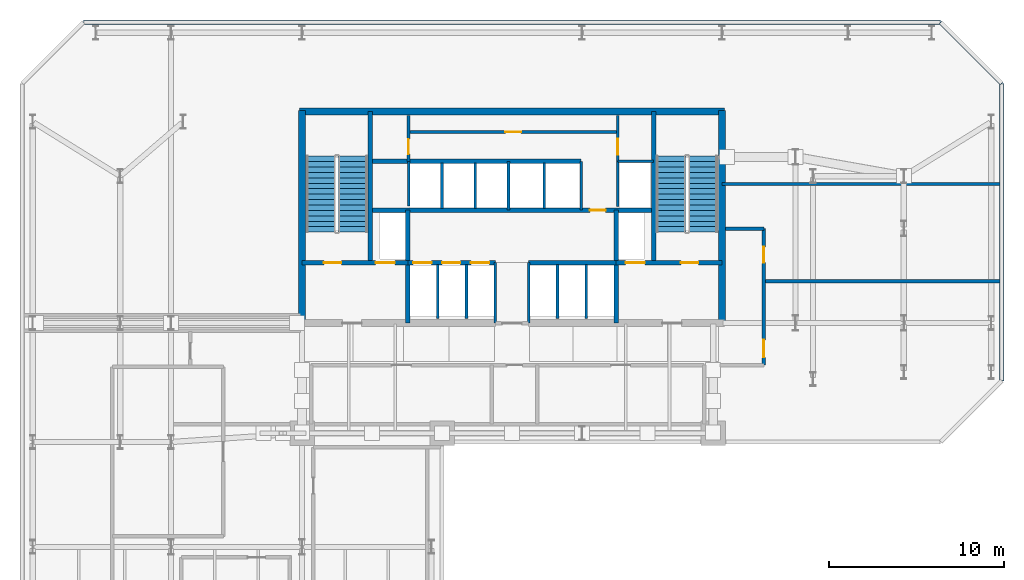
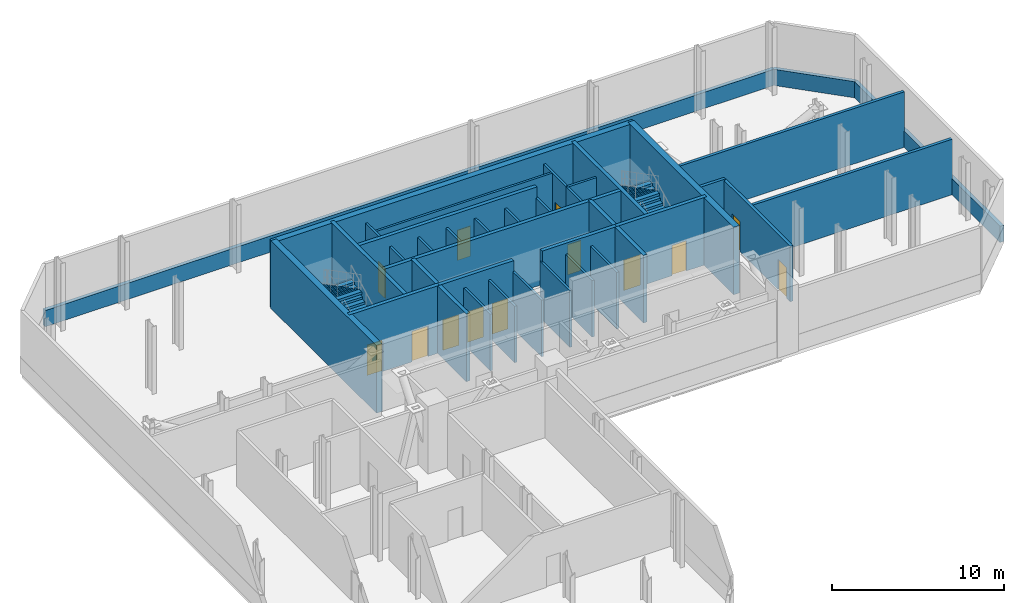
# One storey, part 5 of 8: 37 walls, 13 doors, 4 stair flights, 13 openings, 2 elements without a shape of their own.
"""IFC4 building model written with IfcOpenShell, lengths in metres."""

import ifcopenshell
import ifcopenshell.guid

model = None  # the IFC model being written
_history = None  # IfcOwnerHistory: only IFC2X3 demands one
_inside = {}  # id of a spatial element -> (the spatial element, [elements in it])
_under = {}  # id of a project, library or spatial element -> (it, [spatial elements below it])
_declared = {}  # id of a project -> (the project, [libraries it declares])
_typed = {}  # id of a type object -> (the type object, [elements of that type])
_made_of = {}  # id of a material, layer set ... -> (it, [elements and type objects made of it])


def new_model(schema):
    """Start an empty IFC model of exactly this schema.

    Asked for "IFC4X3", IfcOpenShell would pick the latest addendum, in which some entities
    have other attributes; the version numbers below select the first issue.
    IFC2X3 requires an IfcOwnerHistory on every rooted entity: one is made here for all.
    """
    global model, _history
    if schema == "IFC4X3":
        model = ifcopenshell.file(schema_version=(4, 3, 0, 0))
    else:
        model = ifcopenshell.file(schema=schema)
    _inside.clear()
    _under.clear()
    _declared.clear()
    _typed.clear()
    _made_of.clear()
    _history = None
    if model.schema == "IFC2X3":
        org = make("IfcOrganization", Name="unknown")
        user = make(
            "IfcPersonAndOrganization",
            ThePerson=make("IfcPerson", FamilyName="unknown"),
            TheOrganization=org,
        )
        app = make(
            "IfcApplication",
            ApplicationDeveloper=org,
            Version="unknown",
            ApplicationFullName="unknown",
            ApplicationIdentifier="unknown",
        )
        _history = make(
            "IfcOwnerHistory",
            OwningUser=user,
            OwningApplication=app,
            ChangeAction="ADDED",
            CreationDate=0,
        )
    return model


def make(cls, **values):
    """One entity of the class cls with the attributes given. An attribute that is None is left unset."""
    return model.create_entity(
        cls, **{name: value for name, value in values.items() if value is not None}
    )


def rooted(cls, **values):
    """An entity with a GlobalId (a new one), such as an element, a storey or a relation."""
    return make(cls, GlobalId=ifcopenshell.guid.new(), OwnerHistory=_history, **values)


def si_unit(unit_type, name, prefix=None):
    """IfcSIUnit, for example si_unit("LENGTHUNIT", "METRE", prefix="MILLI")."""
    return make("IfcSIUnit", UnitType=unit_type, Prefix=prefix, Name=name)


def assignment(units):
    """IfcUnitAssignment: the units of a project."""
    return None if units is None else make("IfcUnitAssignment", Units=units)


def point(xyz):
    """IfcCartesianPoint."""
    return None if xyz is None else make("IfcCartesianPoint", Coordinates=xyz)


def direction(xyz):
    """IfcDirection."""
    return None if xyz is None else make("IfcDirection", DirectionRatios=xyz)


def frame(location, z_axis=None, x_axis=None):
    """IfcAxis2Placement3D, a coordinate frame: its origin and axes. An axis left out is left unset."""
    return make(
        "IfcAxis2Placement3D",
        Location=point(location),
        Axis=direction(z_axis),
        RefDirection=direction(x_axis),
    )


def frame_2d(location, x_axis=None):
    """IfcAxis2Placement2D, a coordinate frame in the plane: its origin and x axis."""
    return make(
        "IfcAxis2Placement2D", Location=point(location), RefDirection=direction(x_axis)
    )


def origin():
    """The frame at (0, 0, 0) with its axes left unset."""
    return frame((0.0, 0.0, 0.0))


def place(relative_to, where):
    """IfcLocalPlacement: puts the frame where relative to a parent placement (None: the world)."""
    return make(
        "IfcLocalPlacement", PlacementRelTo=relative_to, RelativePlacement=where
    )


def context(
    kind, dimensions, precision=None, world=None, true_north=None, identifier=None
):
    """IfcGeometricRepresentationContext, for example the 3D "Model" context."""
    return make(
        "IfcGeometricRepresentationContext",
        ContextIdentifier=identifier,
        ContextType=kind,
        CoordinateSpaceDimension=dimensions,
        Precision=precision,
        WorldCoordinateSystem=world,
        TrueNorth=true_north,
    )


def subcontext(parent, identifier, kind, view, scale=None):
    """IfcGeometricRepresentationSubContext, for example "Body" below "Model"."""
    return make(
        "IfcGeometricRepresentationSubContext",
        ContextIdentifier=identifier,
        ContextType=kind,
        ParentContext=parent,
        TargetScale=scale,
        TargetView=view,
    )


def project(units=None, contexts=None):
    """IfcProject with its units and contexts."""
    return rooted(
        "IfcProject",
        Name="project",
        RepresentationContexts=contexts,
        UnitsInContext=assignment(units),
    )


def spatial(cls, under=None, at=None, **own):
    """A site, building, storey or space (cls), placed at a placement, below another one or the project."""
    s = rooted(cls, ObjectPlacement=at, **own)
    if under is not None:
        _under.setdefault(under.id(), (under, []))[1].append(s)
    return s


def polyline(points):
    """IfcPolyline through the points."""
    return make("IfcPolyline", Points=[point(p) for p in points])


def profile(cls, at=None, kind="AREA", **sizes):
    """A parametric profile (cls). Its sizes go by their IFC names, for example OverallWidth=200.0."""
    return make(cls, ProfileType=kind, Position=at, **sizes)


def rectangle(**sizes):
    """IfcRectangleProfileDef."""
    return profile("IfcRectangleProfileDef", **sizes)


def outline(outer, holes=None, kind="AREA"):
    """IfcArbitraryClosedProfileDef: a profile drawn as a closed curve; with holes, ...WithVoids."""
    if holes is None:
        return make("IfcArbitraryClosedProfileDef", ProfileType=kind, OuterCurve=outer)
    return make(
        "IfcArbitraryProfileDefWithVoids",
        ProfileType=kind,
        OuterCurve=outer,
        InnerCurves=holes,
    )


def extrude(swept, where, along, depth):
    """IfcExtrudedAreaSolid: the profile swept, set in the frame where, extruded along a direction by depth."""
    return make(
        "IfcExtrudedAreaSolid",
        SweptArea=swept,
        Position=where,
        ExtrudedDirection=direction(along),
        Depth=depth,
    )


def shape(context_of_items, identifier, shape_type, items):
    """IfcShapeRepresentation: the items that make up one representation, for example the "Body"."""
    return make(
        "IfcShapeRepresentation",
        ContextOfItems=context_of_items,
        RepresentationIdentifier=identifier,
        RepresentationType=shape_type,
        Items=items,
    )


def material(Name=None, Category=None):
    """IfcMaterial."""
    return make("IfcMaterial", Name=Name, Category=Category)


def layer(
    of_material, thickness, ventilated=None, Name=None, Category=None, Priority=None
):
    """IfcMaterialLayer: one layer of a wall or slab, of a material (None: an air gap)."""
    return make(
        "IfcMaterialLayer",
        Material=of_material,
        LayerThickness=thickness,
        IsVentilated=ventilated,
        Name=Name,
        Category=Category,
        Priority=Priority,
    )


def layer_set(layers, Name=None):
    """IfcMaterialLayerSet."""
    return make("IfcMaterialLayerSet", MaterialLayers=layers, LayerSetName=Name)


def made_of(thing, what):
    """Note that an element or type object is made of a material, layer set ...; save() writes the relation."""
    if what is not None:
        _made_of.setdefault(what.id(), (what, []))[1].append(thing)
    return thing


def type_object(cls, material=None, **own):
    """A type object (cls), such as IfcWallType, which elements share."""
    return made_of(rooted(cls, **own), material)


def element(
    cls,
    number,
    at=None,
    inside=None,
    cuts=None,
    type_object=None,
    material=None,
    context=None,
    identifier="Body",
    shape_type=None,
    held_by="IfcProductDefinitionShape",
    body=None,
    shapes=None,
    **own,
):
    """One element of the class cls, such as IfcWall. Its Tag is "e" and its number.

    at: its placement. inside: the storey or other place that contains it. cuts: it is an
    opening in that element (IfcRelVoidsElement). A single representation is given by context,
    identifier, shape_type and body (its items); several are given by shapes. held_by: the class
    of the entity that holds the representations. save() writes the other relations.
    """
    e = rooted(cls, Tag="e%d" % number, ObjectPlacement=at, **own)
    if body is not None:
        shapes = [shape(context, identifier, shape_type, body)]
    if shapes is not None:
        e.Representation = make(held_by, Representations=shapes)
    if inside is not None:
        _inside.setdefault(inside.id(), (inside, []))[1].append(e)
    if cuts is not None:
        rooted(
            "IfcRelVoidsElement", RelatingBuildingElement=cuts, RelatedOpeningElement=e
        )
    if type_object is not None:
        _typed.setdefault(type_object.id(), (type_object, []))[1].append(e)
    return made_of(e, material)


def fill(opening, filler):
    """IfcRelFillsElement: the door or window that sits in an opening."""
    return rooted(
        "IfcRelFillsElement",
        RelatingOpeningElement=opening,
        RelatedBuildingElement=filler,
    )


def aggregate(whole, parts):
    """IfcRelAggregates: a whole, such as a stair, and the parts it consists of."""
    return rooted("IfcRelAggregates", RelatingObject=whole, RelatedObjects=parts)


def save(model, path):
    """Write the relations noted so far, then the file.

    IfcRelAggregates (storeys below a building ...), IfcRelContainedInSpatialStructure (elements
    in a storey), IfcRelDefinesByType, IfcRelAssociatesMaterial and IfcRelDeclares: one each for
    every whole, place, type object, material and project.
    """
    for whole, parts in _under.values():
        aggregate(whole, parts)
    for where, things in _inside.values():
        rooted(
            "IfcRelContainedInSpatialStructure",
            RelatedElements=things,
            RelatingStructure=where,
        )
    for kind, things in _typed.values():
        rooted("IfcRelDefinesByType", RelatedObjects=things, RelatingType=kind)
    for what, things in _made_of.values():
        rooted("IfcRelAssociatesMaterial", RelatedObjects=things, RelatingMaterial=what)
    for by, libraries in _declared.values():
        rooted("IfcRelDeclares", RelatingContext=by, RelatedDefinitions=libraries)
    model.write(path)


model = new_model("IFC4")

# Units and contexts
model_context = context("Model", 3, precision=1e-05, world=origin(), true_north=direction((0.0, 1.0)))
body_context = subcontext(model_context, "Body", "Model", "MODEL_VIEW")
ifc_project = project(units=[si_unit("LENGTHUNIT", "METRE"), si_unit("AREAUNIT", "SQUARE_METRE"), si_unit("VOLUMEUNIT", "CUBIC_METRE"), si_unit("PLANEANGLEUNIT", "RADIAN"), si_unit("MASSUNIT", "GRAM", prefix="KILO")], contexts=[model_context])

# Site, building, storey
site_placement = place(None, origin())
site = spatial("IfcSite", under=ifc_project, at=site_placement, CompositionType="ELEMENT")
building_placement = place(site_placement, origin())
building = spatial("IfcBuilding", under=site, at=building_placement, Name="Catumbela Crestline Tower", CompositionType="ELEMENT")
storey_placement = place(building_placement, frame((0.0, 0.0, 79.8)))
storey = spatial("IfcBuildingStorey", under=building, at=storey_placement, Name="L20", CompositionType="ELEMENT", Elevation=79.8)

# Walls
ifc_material_1 = material(Name="Concrete C50/60", Category="concrete")
ifc_layer_1 = layer(ifc_material_1, 0.25, Name="Concrete C50/60")
ifc_layer_set_1 = layer_set([ifc_layer_1], Name="Concrete C50/60")
wall_type_1 = type_object("IfcWallType", Name="CW-250D", PredefinedType="SHEAR", material=ifc_layer_set_1)
for number, where, z_axis, x_axis, name in (
    (1, (19.9, 34.25, 0.0), (0.0, 0.0, 1.0), (0.0, 1.0, 0.0), "L20 Structural Core Shear Wall WWEB"),
    (2, (36.1, 34.25, 0.0), (0.0, 0.0, 1.0), (0.0, 1.0, 0.0), "L20 Structural Core Shear Wall EWEB"),
):
    element("IfcWall", number, at=place(storey_placement, frame(where, z_axis=z_axis, x_axis=x_axis)), inside=storey, type_object=wall_type_1, Name=name, PredefinedType="SHEAR", context=body_context, shape_type="SweptSolid", body=[
        extrude(rectangle(XDim=8.65, YDim=0.25, at=frame_2d((4.325, 0.0))), origin(), (0.0, 0.0, 1.0), 4.8),
    ])
for number, where, z_axis, x_axis, name in (
    (3, (22.05, 30.8, 0.0), (0.0, 0.0, 1.0), (0.0, 1.0, 0.0), "L20 Structural Core Shear Wall FFW"),
    (4, (33.95, 30.8, 0.0), (0.0, 0.0, 1.0), (0.0, 1.0, 0.0), "L20 Structural Core Shear Wall FFE"),
):
    element("IfcWall", number, at=place(storey_placement, frame(where, z_axis=z_axis, x_axis=x_axis)), inside=storey, type_object=wall_type_1, Name=name, PredefinedType="SHEAR", context=body_context, shape_type="SweptSolid", body=[
        extrude(rectangle(XDim=6.45, YDim=0.25, at=frame_2d((3.225, 0.0))), origin(), (0.0, 0.0, 1.0), 4.8),
    ])

# Wall, openings, doors
wall_1_placement = place(storey_placement, frame((16.0, 34.25, 0.0), z_axis=(0.0, 0.0, 1.0), x_axis=(1.0, 0.0, 0.0)))
wall_1 = element("IfcWall", 5, at=wall_1_placement, inside=storey, type_object=wall_type_1, Name="L20 Structural Core Shear Wall ST1S", PredefinedType="SHEAR", context=body_context, shape_type="SweptSolid", body=[
    extrude(rectangle(XDim=6.05, YDim=0.25, at=frame_2d((3.025, 0.0))), origin(), (0.0, 0.0, 1.0), 4.8),
])
opening_1_placement = place(wall_1_placement, frame((1.25, 0.0, 0.0)))
opening_1 = element("IfcOpeningElement", 6, at=opening_1_placement, cuts=wall_1, Name="Opening DF9-100", PredefinedType="OPENING", context=body_context, shape_type="SweptSolid", body=[
    extrude(rectangle(XDim=1.0, YDim=2.15, at=frame_2d((0.5, 1.075))), frame((0.0, 0.135, 0.0), z_axis=(0.0, -1.0, 0.0), x_axis=(1.0, 0.0, 0.0)), (0.0, 0.0, 1.0), 0.27),
])
opening_2_placement = place(wall_1_placement, frame((4.2, 0.0, 0.0)))
opening_2 = element("IfcOpeningElement", 7, at=opening_2_placement, cuts=wall_1, Name="Opening LD-110", PredefinedType="OPENING", context=body_context, shape_type="SweptSolid", body=[
    extrude(rectangle(XDim=1.1, YDim=2.15, at=frame_2d((0.55, 1.075))), frame((0.0, 0.135, 0.0), z_axis=(0.0, -1.0, 0.0), x_axis=(1.0, 0.0, 0.0)), (0.0, 0.0, 1.0), 0.27),
])
ifc_material_2 = material(Name="Stainless steel EN 1.4401", Category="steel")
door_type_1 = type_object("IfcDoorType", Name="DF9-100", OperationType="NOTDEFINED", PredefinedType="DOOR", material=ifc_material_2)
door_1_placement = place(opening_1_placement, origin())
door_1 = element("IfcDoor", 8, at=door_1_placement, inside=storey, type_object=door_type_1, Name="L20 Interior Door DR-L20-ST01", OperationType="SINGLE_SWING_LEFT", OverallHeight=2.15, OverallWidth=1.0, PredefinedType="DOOR", context=body_context, shape_type="SweptSolid", body=[
    extrude(rectangle(XDim=1.0, YDim=2.15, at=frame_2d((0.5, 1.075))), frame((0.0, 0.025, 0.0), z_axis=(0.0, -1.0, 0.0), x_axis=(1.0, 0.0, 0.0)), (0.0, 0.0, 1.0), 0.05),
])
fill(opening_1, door_1)
door_type_2 = type_object("IfcDoorType", Name="LD-110", OperationType="NOTDEFINED", PredefinedType="DOOR", material=ifc_material_2)
door_2_placement = place(opening_2_placement, origin())
door_2 = element("IfcDoor", 9, at=door_2_placement, inside=storey, type_object=door_type_2, Name="L20 Lift Landing Sliding Door FL-01", OperationType="DOUBLE_DOOR_SLIDING", OverallHeight=2.15, OverallWidth=1.1, PredefinedType="DOOR", context=body_context, shape_type="SweptSolid", body=[
    extrude(rectangle(XDim=1.1, YDim=2.15, at=frame_2d((0.55, 1.075))), frame((0.0, 0.025, 0.0), z_axis=(0.0, -1.0, 0.0), x_axis=(1.0, 0.0, 0.0)), (0.0, 0.0, 1.0), 0.05),
])
fill(opening_2, door_2)

wall_2_placement = place(storey_placement, frame((33.95, 34.25, 0.0), z_axis=(0.0, 0.0, 1.0), x_axis=(1.0, 0.0, 0.0)))
wall_2 = element("IfcWall", 10, at=wall_2_placement, inside=storey, type_object=wall_type_1, Name="L20 Structural Core Shear Wall ST2S", PredefinedType="SHEAR", context=body_context, shape_type="SweptSolid", body=[
    extrude(rectangle(XDim=6.05, YDim=0.25, at=frame_2d((3.025, 0.0))), origin(), (0.0, 0.0, 1.0), 4.8),
])
opening_3_placement = place(wall_2_placement, frame((3.7, 0.0, 0.0)))
opening_3 = element("IfcOpeningElement", 11, at=opening_3_placement, cuts=wall_2, Name="Opening DF9-100", PredefinedType="OPENING", context=body_context, shape_type="SweptSolid", body=[
    extrude(rectangle(XDim=1.0, YDim=2.15, at=frame_2d((0.5, 1.075))), frame((0.0, 0.135, 0.0), z_axis=(0.0, -1.0, 0.0), x_axis=(1.0, 0.0, 0.0)), (0.0, 0.0, 1.0), 0.27),
])
opening_4_placement = place(wall_2_placement, frame((0.55, 0.0, 0.0)))
opening_4 = element("IfcOpeningElement", 12, at=opening_4_placement, cuts=wall_2, Name="Opening LD-110", PredefinedType="OPENING", context=body_context, shape_type="SweptSolid", body=[
    extrude(rectangle(XDim=1.1, YDim=2.15, at=frame_2d((0.55, 1.075))), frame((0.0, 0.135, 0.0), z_axis=(0.0, -1.0, 0.0), x_axis=(1.0, 0.0, 0.0)), (0.0, 0.0, 1.0), 0.27),
])
door_3_placement = place(opening_3_placement, origin())
door_3 = element("IfcDoor", 13, at=door_3_placement, inside=storey, type_object=door_type_1, Name="L20 Interior Door DR-L20-ST02", OperationType="SINGLE_SWING_RIGHT", OverallHeight=2.15, OverallWidth=1.0, PredefinedType="DOOR", context=body_context, shape_type="SweptSolid", body=[
    extrude(rectangle(XDim=1.0, YDim=2.15, at=frame_2d((0.5, 1.075))), frame((0.0, 0.025, 0.0), z_axis=(0.0, -1.0, 0.0), x_axis=(1.0, 0.0, 0.0)), (0.0, 0.0, 1.0), 0.05),
])
fill(opening_3, door_3)
door_4_placement = place(opening_4_placement, origin())
door_4 = element("IfcDoor", 14, at=door_4_placement, inside=storey, type_object=door_type_2, Name="L20 Lift Landing Sliding Door FL-02", OperationType="DOUBLE_DOOR_SLIDING", OverallHeight=2.15, OverallWidth=1.1, PredefinedType="DOOR", context=body_context, shape_type="SweptSolid", body=[
    extrude(rectangle(XDim=1.1, YDim=2.15, at=frame_2d((0.55, 1.075))), frame((0.0, 0.025, 0.0), z_axis=(0.0, -1.0, 0.0), x_axis=(1.0, 0.0, 0.0)), (0.0, 0.0, 1.0), 0.05),
])
fill(opening_4, door_4)

wall_3_placement = place(storey_placement, frame((22.05, 34.25, 0.0), z_axis=(0.0, 0.0, 1.0), x_axis=(1.0, 0.0, 0.0)))
wall_3 = element("IfcWall", 15, at=wall_3_placement, inside=storey, type_object=wall_type_1, Name="L20 Structural Core Shear Wall LIFTS-W", PredefinedType="SHEAR", context=body_context, shape_type="SweptSolid", body=[
    extrude(rectangle(XDim=5.0, YDim=0.25, at=frame_2d((2.5, 0.0))), origin(), (0.0, 0.0, 1.0), 4.8),
])
opening_5_placement = place(wall_3_placement, frame((0.3, 0.0, 0.0)))
opening_5 = element("IfcOpeningElement", 16, at=opening_5_placement, cuts=wall_3, Name="Opening LD-105", PredefinedType="OPENING", context=body_context, shape_type="SweptSolid", body=[
    extrude(rectangle(XDim=1.05, YDim=2.15, at=frame_2d((0.525, 1.075))), frame((0.0, 0.135, 0.0), z_axis=(0.0, -1.0, 0.0), x_axis=(1.0, 0.0, 0.0)), (0.0, 0.0, 1.0), 0.27),
])
opening_6_placement = place(wall_3_placement, frame((1.95, 0.0, 0.0)))
opening_6 = element("IfcOpeningElement", 17, at=opening_6_placement, cuts=wall_3, Name="Opening LD-105", PredefinedType="OPENING", context=body_context, shape_type="SweptSolid", body=[
    extrude(rectangle(XDim=1.05, YDim=2.15, at=frame_2d((0.525, 1.075))), frame((0.0, 0.135, 0.0), z_axis=(0.0, -1.0, 0.0), x_axis=(1.0, 0.0, 0.0)), (0.0, 0.0, 1.0), 0.27),
])
opening_7_placement = place(wall_3_placement, frame((3.6, 0.0, 0.0)))
opening_7 = element("IfcOpeningElement", 18, at=opening_7_placement, cuts=wall_3, Name="Opening LD-105", PredefinedType="OPENING", context=body_context, shape_type="SweptSolid", body=[
    extrude(rectangle(XDim=1.05, YDim=2.15, at=frame_2d((0.525, 1.075))), frame((0.0, 0.135, 0.0), z_axis=(0.0, -1.0, 0.0), x_axis=(1.0, 0.0, 0.0)), (0.0, 0.0, 1.0), 0.27),
])
door_type_3 = type_object("IfcDoorType", Name="LD-105", OperationType="NOTDEFINED", PredefinedType="DOOR", material=ifc_material_2)
door_5_placement = place(opening_5_placement, origin())
door_5 = element("IfcDoor", 19, at=door_5_placement, inside=storey, type_object=door_type_3, Name="L20 Lift Landing Sliding Door PL-L1", OperationType="DOUBLE_DOOR_SLIDING", OverallHeight=2.15, OverallWidth=1.05, PredefinedType="DOOR", context=body_context, shape_type="SweptSolid", body=[
    extrude(rectangle(XDim=1.05, YDim=2.15, at=frame_2d((0.525, 1.075))), frame((0.0, 0.025, 0.0), z_axis=(0.0, -1.0, 0.0), x_axis=(1.0, 0.0, 0.0)), (0.0, 0.0, 1.0), 0.05),
])
fill(opening_5, door_5)
door_6_placement = place(opening_6_placement, origin())
door_6 = element("IfcDoor", 20, at=door_6_placement, inside=storey, type_object=door_type_3, Name="L20 Lift Landing Sliding Door PL-L2", OperationType="DOUBLE_DOOR_SLIDING", OverallHeight=2.15, OverallWidth=1.05, PredefinedType="DOOR", context=body_context, shape_type="SweptSolid", body=[
    extrude(rectangle(XDim=1.05, YDim=2.15, at=frame_2d((0.525, 1.075))), frame((0.0, 0.025, 0.0), z_axis=(0.0, -1.0, 0.0), x_axis=(1.0, 0.0, 0.0)), (0.0, 0.0, 1.0), 0.05),
])
fill(opening_6, door_6)
door_7_placement = place(opening_7_placement, origin())
door_7 = element("IfcDoor", 21, at=door_7_placement, inside=storey, type_object=door_type_3, Name="L20 Lift Landing Sliding Door PL-L3", OperationType="DOUBLE_DOOR_SLIDING", OverallHeight=2.15, OverallWidth=1.05, PredefinedType="DOOR", context=body_context, shape_type="SweptSolid", body=[
    extrude(rectangle(XDim=1.05, YDim=2.15, at=frame_2d((0.525, 1.075))), frame((0.0, 0.025, 0.0), z_axis=(0.0, -1.0, 0.0), x_axis=(1.0, 0.0, 0.0)), (0.0, 0.0, 1.0), 0.05),
])
fill(opening_7, door_7)

# Wall
wall_4_placement = place(storey_placement, frame((28.95, 34.25, 0.0), z_axis=(0.0, 0.0, 1.0), x_axis=(1.0, 0.0, 0.0)))
element("IfcWall", 22, at=wall_4_placement, inside=storey, type_object=wall_type_1, Name="L20 Structural Core Shear Wall LIFTS-E", PredefinedType="SHEAR", context=body_context, shape_type="SweptSolid", body=[
    extrude(rectangle(XDim=5.0, YDim=0.25, at=frame_2d((2.5, 0.0))), origin(), (0.0, 0.0, 1.0), 4.8),
])

# Wall, opening, door
wall_5_placement = place(storey_placement, frame((19.9, 37.25, 0.0), z_axis=(0.0, 0.0, 1.0), x_axis=(1.0, 0.0, 0.0)))
wall_5 = element("IfcWall", 23, at=wall_5_placement, inside=storey, type_object=wall_type_1, Name="L20 Structural Core Shear Wall LIFTN", PredefinedType="SHEAR", context=body_context, shape_type="SweptSolid", body=[
    extrude(rectangle(XDim=16.2, YDim=0.25, at=frame_2d((8.1, 0.0))), origin(), (0.0, 0.0, 1.0), 4.8),
])
opening_8_placement = place(wall_5_placement, frame((12.55, 0.0, 0.0)))
opening_8 = element("IfcOpeningElement", 24, at=opening_8_placement, cuts=wall_5, Name="Opening DF9-090", PredefinedType="OPENING", context=body_context, shape_type="SweptSolid", body=[
    extrude(rectangle(XDim=0.9, YDim=2.15, at=frame_2d((0.45, 1.075))), frame((0.0, 0.135, 0.0), z_axis=(0.0, -1.0, 0.0), x_axis=(1.0, 0.0, 0.0)), (0.0, 0.0, 1.0), 0.27),
])
door_type_4 = type_object("IfcDoorType", Name="DF9-090", OperationType="NOTDEFINED", PredefinedType="DOOR", material=ifc_material_2)
door_8_placement = place(opening_8_placement, origin())
door_8 = element("IfcDoor", 25, at=door_8_placement, inside=storey, type_object=door_type_4, Name="L20 Interior Door DR-L20-CPAS1", OperationType="SINGLE_SWING_LEFT", OverallHeight=2.15, OverallWidth=0.9, PredefinedType="DOOR", context=body_context, shape_type="SweptSolid", body=[
    extrude(rectangle(XDim=0.9, YDim=2.15, at=frame_2d((0.45, 1.075))), frame((0.0, 0.025, 0.0), z_axis=(0.0, -1.0, 0.0), x_axis=(1.0, 0.0, 0.0)), (0.0, 0.0, 1.0), 0.05),
])
fill(opening_8, door_8)

# Walls
wall_6_placement = place(storey_placement, frame((19.9, 40.05, 0.0), z_axis=(0.0, 0.0, 1.0), x_axis=(1.0, 0.0, 0.0)))
element("IfcWall", 26, at=wall_6_placement, inside=storey, type_object=wall_type_1, Name="L20 Structural Core Shear Wall COREN", PredefinedType="SHEAR", context=body_context, shape_type="SweptSolid", body=[
    extrude(rectangle(XDim=12.05, YDim=0.25, at=frame_2d((6.025, 0.0))), origin(), (0.0, 0.0, 1.0), 4.8),
])
ifc_material_3 = material(Name="Concrete C60/75", Category="concrete")
ifc_layer_2 = layer(ifc_material_3, 0.4, Name="Concrete C60/75")
ifc_layer_set_2 = layer_set([ifc_layer_2], Name="Concrete C60/75")
wall_type_2 = type_object("IfcWallType", Name="CW-400A", PredefinedType="SHEAR", material=ifc_layer_set_2)
for number, where, z_axis, x_axis, name in (
    (27, (16.0, 30.65, 0.0), (0.0, 0.0, 1.0), (0.0, 1.0, 0.0), "L20 Structural Core Shear Wall W"),
    (28, (40.0, 30.65, 0.0), (0.0, 0.0, 1.0), (0.0, 1.0, 0.0), "L20 Structural Core Shear Wall E"),
):
    element("IfcWall", number, at=place(storey_placement, frame(where, z_axis=z_axis, x_axis=x_axis)), inside=storey, type_object=wall_type_2, Name=name, PredefinedType="SHEAR", context=body_context, shape_type="SweptSolid", body=[
        extrude(rectangle(XDim=12.3, YDim=0.4, at=frame_2d((6.15, 0.0))), origin(), (0.0, 0.0, 1.0), 4.8),
    ])
wall_7_placement = place(storey_placement, frame((15.85, 42.9, 0.0), z_axis=(0.0, 0.0, 1.0), x_axis=(1.0, 0.0, 0.0)))
element("IfcWall", 29, at=wall_7_placement, inside=storey, type_object=wall_type_2, Name="L20 Structural Core Shear Wall N", PredefinedType="SHEAR", context=body_context, shape_type="SweptSolid", body=[
    extrude(rectangle(XDim=24.3, YDim=0.4, at=frame_2d((12.15, 0.0))), origin(), (0.0, 0.0, 1.0), 4.8),
])
ifc_material_4 = material(Name="Acoustic gypsum and mineral-wool partition")
ifc_layer_3 = layer(ifc_material_4, 0.2, Name="Acoustic gypsum and mineral-wool partition")
ifc_layer_set_3 = layer_set([ifc_layer_3], Name="Acoustic gypsum and mineral-wool partition")
wall_type_3 = type_object("IfcWallType", Name="WC-200", PredefinedType="PARTITIONING", material=ifc_layer_set_3)
wall_8_placement = place(storey_placement, frame((40.0, 38.75, 0.0), z_axis=(0.0, 0.0, 1.0), x_axis=(1.0, 0.0, 0.0)))
element("IfcWall", 30, at=wall_8_placement, inside=storey, type_object=wall_type_3, Name="L20 Interior Partition PW-L20-OULECAV-S", PredefinedType="PARTITIONING", context=body_context, shape_type="SweptSolid", body=[
    extrude(rectangle(XDim=15.9, YDim=0.2, at=frame_2d((7.95, 0.0))), origin(), (0.0, 0.0, 1.0), 3.94),
])
wall_9_placement = place(storey_placement, frame((42.4, 33.2, 0.0), z_axis=(0.0, 0.0, 1.0), x_axis=(1.0, 0.0, 0.0)))
element("IfcWall", 31, at=wall_9_placement, inside=storey, type_object=wall_type_3, Name="L20 Interior Partition PW-L20-SWGM", PredefinedType="PARTITIONING", context=body_context, shape_type="SweptSolid", body=[
    extrude(rectangle(XDim=13.5, YDim=0.2, at=frame_2d((6.75, 0.0))), origin(), (0.0, 0.0, 1.0), 3.94),
])
wall_10_placement = place(storey_placement, frame((40.2, 36.2, 0.0), z_axis=(0.0, 0.0, 1.0), x_axis=(1.0, 0.0, 0.0)))
element("IfcWall", 32, at=wall_10_placement, inside=storey, type_object=wall_type_3, Name="L20 Interior Partition PW-L20-SWGN", PredefinedType="PARTITIONING", context=body_context, shape_type="SweptSolid", body=[
    extrude(rectangle(XDim=2.2, YDim=0.2, at=frame_2d((1.1, 0.0))), origin(), (0.0, 0.0, 1.0), 4.02),
])

# Wall, openings, doors
wall_11_placement = place(storey_placement, frame((42.4, 28.4, 0.0), z_axis=(0.0, 0.0, 1.0), x_axis=(0.0, 1.0, 0.0)))
wall_11 = element("IfcWall", 33, at=wall_11_placement, inside=storey, type_object=wall_type_3, Name="L20 Interior Partition PW-L20-SWGE", PredefinedType="PARTITIONING", context=body_context, shape_type="SweptSolid", body=[
    extrude(rectangle(XDim=7.8, YDim=0.2, at=frame_2d((3.9, 0.0))), origin(), (0.0, 0.0, 1.0), 3.94),
])
opening_9_placement = place(wall_11_placement, frame((0.44, 0.0, 0.0)))
opening_9 = element("IfcOpeningElement", 34, at=opening_9_placement, cuts=wall_11, Name="Opening DF9-100", PredefinedType="OPENING", context=body_context, shape_type="SweptSolid", body=[
    extrude(rectangle(XDim=1.0, YDim=2.15, at=frame_2d((0.5, 1.075))), frame((0.0, 0.11, 0.0), z_axis=(0.0, -1.0, 0.0), x_axis=(1.0, 0.0, 0.0)), (0.0, 0.0, 1.0), 0.22),
])
opening_10_placement = place(wall_11_placement, frame((5.85, 0.0, 0.0)))
opening_10 = element("IfcOpeningElement", 35, at=opening_10_placement, cuts=wall_11, Name="Opening DF9-090", PredefinedType="OPENING", context=body_context, shape_type="SweptSolid", body=[
    extrude(rectangle(XDim=0.9, YDim=2.15, at=frame_2d((0.45, 1.075))), frame((0.0, 0.11, 0.0), z_axis=(0.0, -1.0, 0.0), x_axis=(1.0, 0.0, 0.0)), (0.0, 0.0, 1.0), 0.22),
])
door_9_placement = place(opening_10_placement, origin())
door_9 = element("IfcDoor", 36, at=door_9_placement, inside=storey, type_object=door_type_4, Name="L20 Interior Door DR-L20-BATT", OperationType="SINGLE_SWING_RIGHT", OverallHeight=2.15, OverallWidth=0.9, PredefinedType="DOOR", context=body_context, shape_type="SweptSolid", body=[
    extrude(rectangle(XDim=0.9, YDim=2.15, at=frame_2d((0.45, 1.075))), frame((0.0, 0.025, 0.0), z_axis=(0.0, -1.0, 0.0), x_axis=(1.0, 0.0, 0.0)), (0.0, 0.0, 1.0), 0.05),
])
fill(opening_10, door_9)
door_10_placement = place(opening_9_placement, origin())
door_10 = element("IfcDoor", 37, at=door_10_placement, inside=storey, type_object=door_type_1, Name="L20 Interior Door DR-L20-SWGE", OperationType="SINGLE_SWING_RIGHT", OverallHeight=2.15, OverallWidth=1.0, PredefinedType="DOOR", context=body_context, shape_type="SweptSolid", body=[
    extrude(rectangle(XDim=1.0, YDim=2.15, at=frame_2d((0.5, 1.075))), frame((0.0, 0.025, 0.0), z_axis=(0.0, -1.0, 0.0), x_axis=(1.0, 0.0, 0.0)), (0.0, 0.0, 1.0), 0.05),
])
fill(opening_9, door_10)

# Walls
ifc_material_5 = material(Name="Angolan grey-ochre granite", Category="masonry")
ifc_layer_4 = layer(ifc_material_5, 0.25, Name="Angolan grey-ochre granite")
ifc_layer_set_4 = layer_set([ifc_layer_4], Name="Angolan grey-ochre granite")
wall_type_4 = type_object("IfcWallType", Name="WE-250", PredefinedType="STANDARD", material=ifc_layer_set_4)
wall_12_placement = place(storey_placement, frame((56.0, 27.5, 0.0), z_axis=(0.0, 0.0, 1.0), x_axis=(0.0, 1.0, 0.0)))
element("IfcWall", 38, at=wall_12_placement, inside=storey, type_object=wall_type_4, Name="L20 Mechanical Spandrel Upstand Wall 5-1", PredefinedType="STANDARD", context=body_context, shape_type="SweptSolid", body=[
    extrude(rectangle(XDim=17.0, YDim=0.25, at=frame_2d((8.5, 0.0))), origin(), (0.0, 0.0, 1.0), 1.15),
])
wall_13_placement = place(storey_placement, frame((56.0, 44.5, 0.0), z_axis=(0.0, 0.0, 1.0), x_axis=(-0.707106781187, 0.707106781187, 0.0)))
element("IfcWall", 39, at=wall_13_placement, inside=storey, type_object=wall_type_4, Name="L20 Mechanical Spandrel Upstand Wall 6-1", PredefinedType="STANDARD", context=body_context, shape_type="SweptSolid", body=[
    extrude(rectangle(XDim=4.9497, YDim=0.25, at=frame_2d((2.4748, 0.0))), origin(), (0.0, 0.0, 1.0), 1.15),
])
wall_14_placement = place(storey_placement, frame((52.5, 48.0, 0.0), z_axis=(0.0, 0.0, 1.0), x_axis=(-1.0, 0.0, 0.0)))
element("IfcWall", 40, at=wall_14_placement, inside=storey, type_object=wall_type_4, Name="L20 Mechanical Spandrel Upstand Wall 7-1", PredefinedType="STANDARD", context=body_context, shape_type="SweptSolid", body=[
    extrude(rectangle(XDim=49.0, YDim=0.25, at=frame_2d((24.5, 0.0))), origin(), (0.0, 0.0, 1.0), 1.15),
])
ifc_layer_5 = layer(ifc_material_4, 0.15, Name="Acoustic gypsum and mineral-wool partition")
ifc_layer_set_5 = layer_set([ifc_layer_5], Name="Acoustic gypsum and mineral-wool partition")
wall_type_5 = type_object("IfcWallType", Name="WP-150", PredefinedType="PARTITIONING", material=ifc_layer_set_5)
wall_15_placement = place(storey_placement, frame((34.05, 40.05, 0.0), z_axis=(0.0, 0.0, 1.0), x_axis=(1.0, 0.0, 0.0)))
element("IfcWall", 41, at=wall_15_placement, inside=storey, type_object=wall_type_5, Name="L20 Interior Partition PW-L20-CR-ES", PredefinedType="PARTITIONING", context=body_context, shape_type="SweptSolid", body=[
    extrude(rectangle(XDim=2.05, YDim=0.15, at=frame_2d((1.025, 0.0))), origin(), (0.0, 0.0, 1.0), 4.02),
])

# Wall, opening, door
wall_16_placement = place(storey_placement, frame((34.05, 40.05, 0.0), z_axis=(0.0, 0.0, 1.0), x_axis=(0.0, 1.0, 0.0)))
wall_16 = element("IfcWall", 42, at=wall_16_placement, inside=storey, type_object=wall_type_5, Name="L20 Interior Partition PW-L20-CR-EW", PredefinedType="PARTITIONING", context=body_context, shape_type="SweptSolid", body=[
    extrude(rectangle(XDim=2.63, YDim=0.15, at=frame_2d((1.315, 0.0))), origin(), (0.0, 0.0, 1.0), 4.02),
])
opening_11_placement = place(wall_16_placement, frame((0.385, 0.0, 0.0)))
opening_11 = element("IfcOpeningElement", 43, at=opening_11_placement, cuts=wall_16, Name="Opening DF9-090", PredefinedType="OPENING", context=body_context, shape_type="SweptSolid", body=[
    extrude(rectangle(XDim=0.9, YDim=2.15, at=frame_2d((0.45, 1.075))), frame((0.0, 0.085, 0.0), z_axis=(0.0, -1.0, 0.0), x_axis=(1.0, 0.0, 0.0)), (0.0, 0.0, 1.0), 0.17),
])
door_11_placement = place(opening_11_placement, origin())
door_11 = element("IfcDoor", 44, at=door_11_placement, inside=storey, type_object=door_type_4, Name="L20 Interior Door DR-L20-CREAST", OperationType="SINGLE_SWING_RIGHT", OverallHeight=2.15, OverallWidth=0.9, PredefinedType="DOOR", context=body_context, shape_type="SweptSolid", body=[
    extrude(rectangle(XDim=0.9, YDim=2.15, at=frame_2d((0.45, 1.075))), frame((0.0, 0.025, 0.0), z_axis=(0.0, -1.0, 0.0), x_axis=(1.0, 0.0, 0.0)), (0.0, 0.0, 1.0), 0.05),
])
fill(opening_11, door_11)

wall_17_placement = place(storey_placement, frame((22.08, 40.05, 0.0), z_axis=(0.0, 0.0, 1.0), x_axis=(0.0, 1.0, 0.0)))
wall_17 = element("IfcWall", 45, at=wall_17_placement, inside=storey, type_object=wall_type_5, Name="L20 Interior Partition PW-L20-CR-WCW", PredefinedType="PARTITIONING", context=body_context, shape_type="SweptSolid", body=[
    extrude(rectangle(XDim=2.63, YDim=0.15, at=frame_2d((1.315, 0.0))), origin(), (0.0, 0.0, 1.0), 4.02),
])
opening_12_placement = place(wall_17_placement, frame((0.41, 0.0, 0.0)))
opening_12 = element("IfcOpeningElement", 46, at=opening_12_placement, cuts=wall_17, Name="Opening DI-085", PredefinedType="OPENING", context=body_context, shape_type="SweptSolid", body=[
    extrude(rectangle(XDim=0.85, YDim=2.15, at=frame_2d((0.425, 1.075))), frame((0.0, 0.085, 0.0), z_axis=(0.0, -1.0, 0.0), x_axis=(1.0, 0.0, 0.0)), (0.0, 0.0, 1.0), 0.17),
])
ifc_material_6 = material(Name="Aluminium alloy AW-6060-T66", Category="aluminium")
door_type_5 = type_object("IfcDoorType", Name="DI-085", OperationType="NOTDEFINED", PredefinedType="DOOR", material=ifc_material_6)
door_12_placement = place(opening_12_placement, origin())
door_12 = element("IfcDoor", 47, at=door_12_placement, inside=storey, type_object=door_type_5, Name="L20 Interior Door DR-L20-CRWC", OperationType="SINGLE_SWING_LEFT", OverallHeight=2.15, OverallWidth=0.85, PredefinedType="DOOR", context=body_context, shape_type="SweptSolid", body=[
    extrude(rectangle(XDim=0.85, YDim=2.15, at=frame_2d((0.425, 1.075))), frame((0.0, 0.025, 0.0), z_axis=(0.0, -1.0, 0.0), x_axis=(1.0, 0.0, 0.0)), (0.0, 0.0, 1.0), 0.05),
])
fill(opening_12, door_12)

wall_18_placement = place(storey_placement, frame((22.08, 41.72, 0.0), z_axis=(0.0, 0.0, 1.0), x_axis=(1.0, 0.0, 0.0)))
wall_18 = element("IfcWall", 48, at=wall_18_placement, inside=storey, type_object=wall_type_5, Name="L20 Interior Partition PW-L20-CR-MID", PredefinedType="PARTITIONING", context=body_context, shape_type="SweptSolid", body=[
    extrude(rectangle(XDim=11.97, YDim=0.15, at=frame_2d((5.985, 0.0))), origin(), (0.0, 0.0, 1.0), 4.02),
])
opening_13_placement = place(wall_18_placement, frame((5.535, 0.0, 0.0)))
opening_13 = element("IfcOpeningElement", 49, at=opening_13_placement, cuts=wall_18, Name="Opening DF9-090", PredefinedType="OPENING", context=body_context, shape_type="SweptSolid", body=[
    extrude(rectangle(XDim=0.9, YDim=2.15, at=frame_2d((0.45, 1.075))), frame((0.0, 0.085, 0.0), z_axis=(0.0, -1.0, 0.0), x_axis=(1.0, 0.0, 0.0)), (0.0, 0.0, 1.0), 0.17),
])
door_13_placement = place(opening_13_placement, origin())
door_13 = element("IfcDoor", 50, at=door_13_placement, inside=storey, type_object=door_type_4, Name="L20 Interior Door DR-L20-CRMID", OperationType="SINGLE_SWING_LEFT", OverallHeight=2.15, OverallWidth=0.9, PredefinedType="DOOR", context=body_context, shape_type="SweptSolid", body=[
    extrude(rectangle(XDim=0.9, YDim=2.15, at=frame_2d((0.45, 1.075))), frame((0.0, 0.025, 0.0), z_axis=(0.0, -1.0, 0.0), x_axis=(1.0, 0.0, 0.0)), (0.0, 0.0, 1.0), 0.05),
])
fill(opening_13, door_13)

# Walls
ifc_layer_6 = layer(ifc_material_4, 0.15, Name="Acoustic gypsum and mineral-wool partition")
ifc_layer_set_6 = layer_set([ifc_layer_6], Name="Acoustic gypsum and mineral-wool partition")
wall_type_6 = type_object("IfcWallType", Name="WS-150", PredefinedType="PLUMBINGWALL", material=ifc_layer_set_6)
for number, where, z_axis, x_axis, name in (
    (51, (27.05, 30.8, 0.0), (0.0, 0.0, 1.0), (0.0, 1.0, 0.0), "L20 Interior Partition PW-L20-THRW"),
    (52, (28.95, 30.8, 0.0), (0.0, 0.0, 1.0), (0.0, 1.0, 0.0), "L20 Interior Partition PW-L20-THRE"),
):
    element("IfcWall", number, at=place(storey_placement, frame(where, z_axis=z_axis, x_axis=x_axis)), inside=storey, type_object=wall_type_6, Name=name, PredefinedType="PLUMBINGWALL", context=body_context, shape_type="SweptSolid", body=[
        extrude(rectangle(XDim=3.45, YDim=0.15, at=frame_2d((1.725, 0.0))), origin(), (0.0, 0.0, 1.0), 4.02),
    ])
for number, where, z_axis, x_axis, name in (
    (53, (23.75, 31.05, 0.0), (0.0, 0.0, 1.0), (0.0, 1.0, 0.0), "L20 Interior Partition PW-L20-SHL1"),
    (54, (25.4, 31.05, 0.0), (0.0, 0.0, 1.0), (0.0, 1.0, 0.0), "L20 Interior Partition PW-L20-SHL2"),
    (55, (30.6, 31.05, 0.0), (0.0, 0.0, 1.0), (0.0, 1.0, 0.0), "L20 Interior Partition PW-L20-SHM1"),
    (56, (32.25, 31.05, 0.0), (0.0, 0.0, 1.0), (0.0, 1.0, 0.0), "L20 Interior Partition PW-L20-SHM2"),
):
    element("IfcWall", number, at=place(storey_placement, frame(where, z_axis=z_axis, x_axis=x_axis)), inside=storey, type_object=wall_type_6, Name=name, PredefinedType="PLUMBINGWALL", context=body_context, shape_type="SweptSolid", body=[
        extrude(rectangle(XDim=3.1, YDim=0.15, at=frame_2d((1.55, 0.0))), origin(), (0.0, 0.0, 1.0), 4.02),
    ])
wall_19_placement = place(storey_placement, frame((22.1, 37.4897, 0.0), z_axis=(0.0, 0.0, 1.0), x_axis=(0.0, 1.0, 0.0)))
element("IfcWall", 57, at=wall_19_placement, inside=storey, type_object=wall_type_6, Name="L20 Interior Partition PW-L20-SHH0", PredefinedType="PLUMBINGWALL", context=body_context, shape_type="SweptSolid", body=[
    extrude(rectangle(XDim=2.5603, YDim=0.15, at=frame_2d((1.2801, 0.0))), origin(), (0.0, 0.0, 1.0), 4.02),
])
wall_20_placement = place(storey_placement, frame((27.8, 37.25, 0.0), z_axis=(0.0, 0.0, 1.0), x_axis=(0.0, 1.0, 0.0)))
element("IfcWall", 58, at=wall_20_placement, inside=storey, type_object=wall_type_6, Name="L20 Interior Partition PW-L20-SHH3", PredefinedType="PLUMBINGWALL", context=body_context, shape_type="SweptSolid", body=[
    extrude(rectangle(XDim=2.8, YDim=0.15, at=frame_2d((1.4, 0.0))), origin(), (0.0, 0.0, 1.0), 4.02),
])
for number, where, z_axis, x_axis, name in (
    (59, (24.0, 37.35, 0.0), (0.0, 0.0, 1.0), (0.0, 1.0, 0.0), "L20 Interior Partition PW-L20-SHH1"),
    (60, (25.9, 37.35, 0.0), (0.0, 0.0, 1.0), (0.0, 1.0, 0.0), "L20 Interior Partition PW-L20-SHH2"),
):
    element("IfcWall", number, at=place(storey_placement, frame(where, z_axis=z_axis, x_axis=x_axis)), inside=storey, type_object=wall_type_6, Name=name, PredefinedType="PLUMBINGWALL", context=body_context, shape_type="SweptSolid", body=[
        extrude(rectangle(XDim=2.6, YDim=0.15, at=frame_2d((1.3, 0.0))), origin(), (0.0, 0.0, 1.0), 4.02),
    ])
wall_21_placement = place(storey_placement, frame((31.95, 37.25, 0.0), z_axis=(0.0, 0.0, 1.0), x_axis=(0.0, 1.0, 0.0)))
element("IfcWall", 61, at=wall_21_placement, inside=storey, type_object=wall_type_6, Name="L20 Interior Partition PW-L20-SHEX2E", PredefinedType="PLUMBINGWALL", context=body_context, shape_type="SweptSolid", body=[
    extrude(rectangle(XDim=2.8, YDim=0.15, at=frame_2d((1.4, 0.0))), origin(), (0.0, 0.0, 1.0), 4.02),
])
wall_22_placement = place(storey_placement, frame((29.85, 37.35, 0.0), z_axis=(0.0, 0.0, 1.0), x_axis=(0.0, 1.0, 0.0)))
element("IfcWall", 62, at=wall_22_placement, inside=storey, type_object=wall_type_6, Name="L20 Interior Partition PW-L20-SHEX1", PredefinedType="PLUMBINGWALL", context=body_context, shape_type="SweptSolid", body=[
    extrude(rectangle(XDim=2.6, YDim=0.15, at=frame_2d((1.3, 0.0))), origin(), (0.0, 0.0, 1.0), 4.02),
])
wall_23_placement = place(storey_placement, frame((34.05, 37.4734, 0.0), z_axis=(0.0, 0.0, 1.0), x_axis=(0.0, 1.0, 0.0)))
element("IfcWall", 63, at=wall_23_placement, inside=storey, type_object=wall_type_6, Name="L20 Interior Partition PW-L20-RISW", PredefinedType="PLUMBINGWALL", context=body_context, shape_type="SweptSolid", body=[
    extrude(rectangle(XDim=2.5766, YDim=0.15, at=frame_2d((1.2883, 0.0))), origin(), (0.0, 0.0, 1.0), 4.02),
])

# Stair, stair flights
ifc_material_7 = material(Name="Concrete C45/55", Category="concrete")
stair_type = type_object("IfcStairType", Name="ST-DLG", PredefinedType="HALF_TURN_STAIR", material=ifc_material_7)
stair_1_placement = place(storey_placement, origin())
stair_1 = element("IfcStair", 64, at=stair_1_placement, inside=storey, type_object=stair_type, Name="L20 West Core Pressurised Exit Stair ST-01", PredefinedType="HALF_TURN_STAIR")
stair_flight_type = type_object("IfcStairFlightType", Name="SF-1600", PredefinedType="STRAIGHT", material=ifc_material_7)
stair_flight_1_placement = place(storey_placement, frame((18.92, 36.0, 0.0), z_axis=(0.0, 0.0, 1.0), x_axis=(0.0, 1.0, 0.0)))
stair_flight_1 = element("IfcStairFlight", 65, at=stair_flight_1_placement, type_object=stair_flight_type, Name="ST-01 flight 1", NumberOfRisers=15, NumberOfTreads=14, PredefinedType="STRAIGHT", RiserHeight=0.16, TreadLength=0.31, context=body_context, shape_type="SweptSolid", body=[
    extrude(outline(polyline([(0.0, 0.0), (0.0, 0.16), (0.31, 0.16), (0.31, 0.32), (0.62, 0.32), (0.62, 0.48), (0.93, 0.48), (0.93, 0.64), (1.24, 0.64), (1.24, 0.8), (1.55, 0.8), (1.55, 0.96), (1.86, 0.96), (1.86, 1.12), (2.17, 1.12), (2.17, 1.28), (2.48, 1.28), (2.48, 1.44), (2.79, 1.44), (2.79, 1.6), (3.1, 1.6), (3.1, 1.76), (3.41, 1.76), (3.41, 1.92), (3.72, 1.92), (3.72, 2.08), (4.03, 2.08), (4.03, 2.24), (4.34, 2.24), (4.34, 2.4), (4.34, 2.0599), (0.3489, 0.0), (0.0, 0.0)])), frame((0.0, 0.83, 0.0), z_axis=(0.0, -1.0, 0.0), x_axis=(1.0, 0.0, 0.0)), (0.0, 0.0, 1.0), 1.66),
])
stair_flight_2_placement = place(storey_placement, frame((17.08, 40.34, 2.4), z_axis=(0.0, 0.0, 1.0), x_axis=(0.0, -1.0, 0.0)))
stair_flight_2 = element("IfcStairFlight", 66, at=stair_flight_2_placement, type_object=stair_flight_type, Name="ST-01 flight 2", NumberOfRisers=15, NumberOfTreads=14, PredefinedType="STRAIGHT", RiserHeight=0.16, TreadLength=0.31, context=body_context, shape_type="SweptSolid", body=[
    extrude(outline(polyline([(0.0, 0.0), (0.0, 0.16), (0.31, 0.16), (0.31, 0.32), (0.62, 0.32), (0.62, 0.48), (0.93, 0.48), (0.93, 0.64), (1.24, 0.64), (1.24, 0.8), (1.55, 0.8), (1.55, 0.96), (1.86, 0.96), (1.86, 1.12), (2.17, 1.12), (2.17, 1.28), (2.48, 1.28), (2.48, 1.44), (2.79, 1.44), (2.79, 1.6), (3.1, 1.6), (3.1, 1.76), (3.41, 1.76), (3.41, 1.92), (3.72, 1.92), (3.72, 2.08), (4.03, 2.08), (4.03, 2.24), (4.34, 2.24), (4.34, 2.4), (4.34, 2.0599), (0.3489, 0.0), (0.0, 0.0)])), frame((0.0, 0.83, 0.0), z_axis=(0.0, -1.0, 0.0), x_axis=(1.0, 0.0, 0.0)), (0.0, 0.0, 1.0), 1.66),
])
aggregate(stair_1, [stair_flight_1, stair_flight_2])

stair_2_placement = place(storey_placement, origin())
stair_2 = element("IfcStair", 67, at=stair_2_placement, inside=storey, type_object=stair_type, Name="L20 East Core Pressurised Exit Stair ST-02", PredefinedType="HALF_TURN_STAIR")
stair_flight_3_placement = place(storey_placement, frame((38.92, 36.0, 0.0), z_axis=(0.0, 0.0, 1.0), x_axis=(0.0, 1.0, 0.0)))
stair_flight_3 = element("IfcStairFlight", 68, at=stair_flight_3_placement, type_object=stair_flight_type, Name="ST-02 flight 1", NumberOfRisers=15, NumberOfTreads=14, PredefinedType="STRAIGHT", RiserHeight=0.16, TreadLength=0.31, context=body_context, shape_type="SweptSolid", body=[
    extrude(outline(polyline([(0.0, 0.0), (0.0, 0.16), (0.31, 0.16), (0.31, 0.32), (0.62, 0.32), (0.62, 0.48), (0.93, 0.48), (0.93, 0.64), (1.24, 0.64), (1.24, 0.8), (1.55, 0.8), (1.55, 0.96), (1.86, 0.96), (1.86, 1.12), (2.17, 1.12), (2.17, 1.28), (2.48, 1.28), (2.48, 1.44), (2.79, 1.44), (2.79, 1.6), (3.1, 1.6), (3.1, 1.76), (3.41, 1.76), (3.41, 1.92), (3.72, 1.92), (3.72, 2.08), (4.03, 2.08), (4.03, 2.24), (4.34, 2.24), (4.34, 2.4), (4.34, 2.0599), (0.3489, 0.0), (0.0, 0.0)])), frame((0.0, 0.83, 0.0), z_axis=(0.0, -1.0, 0.0), x_axis=(1.0, 0.0, 0.0)), (0.0, 0.0, 1.0), 1.66),
])
stair_flight_4_placement = place(storey_placement, frame((37.08, 40.34, 2.4), z_axis=(0.0, 0.0, 1.0), x_axis=(0.0, -1.0, 0.0)))
stair_flight_4 = element("IfcStairFlight", 69, at=stair_flight_4_placement, type_object=stair_flight_type, Name="ST-02 flight 2", NumberOfRisers=15, NumberOfTreads=14, PredefinedType="STRAIGHT", RiserHeight=0.16, TreadLength=0.31, context=body_context, shape_type="SweptSolid", body=[
    extrude(outline(polyline([(0.0, 0.0), (0.0, 0.16), (0.31, 0.16), (0.31, 0.32), (0.62, 0.32), (0.62, 0.48), (0.93, 0.48), (0.93, 0.64), (1.24, 0.64), (1.24, 0.8), (1.55, 0.8), (1.55, 0.96), (1.86, 0.96), (1.86, 1.12), (2.17, 1.12), (2.17, 1.28), (2.48, 1.28), (2.48, 1.44), (2.79, 1.44), (2.79, 1.6), (3.1, 1.6), (3.1, 1.76), (3.41, 1.76), (3.41, 1.92), (3.72, 1.92), (3.72, 2.08), (4.03, 2.08), (4.03, 2.24), (4.34, 2.24), (4.34, 2.4), (4.34, 2.0599), (0.3489, 0.0), (0.0, 0.0)])), frame((0.0, 0.83, 0.0), z_axis=(0.0, -1.0, 0.0), x_axis=(1.0, 0.0, 0.0)), (0.0, 0.0, 1.0), 1.66),
])
aggregate(stair_2, [stair_flight_3, stair_flight_4])

save(model, "model.ifc")
